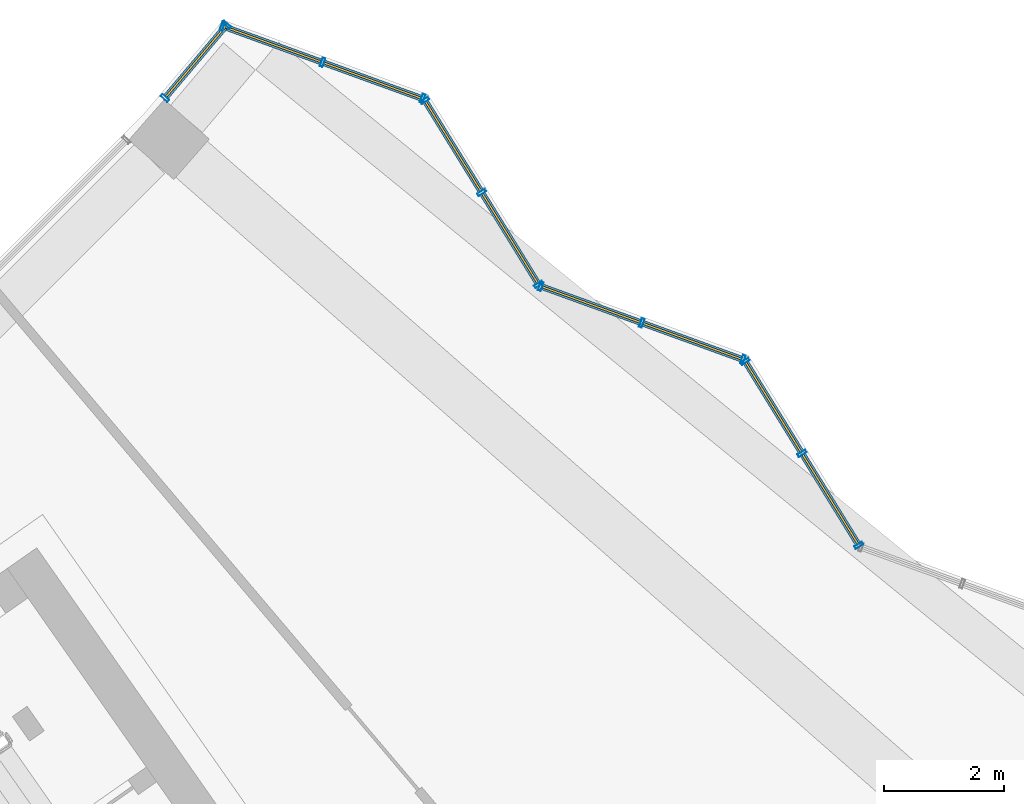
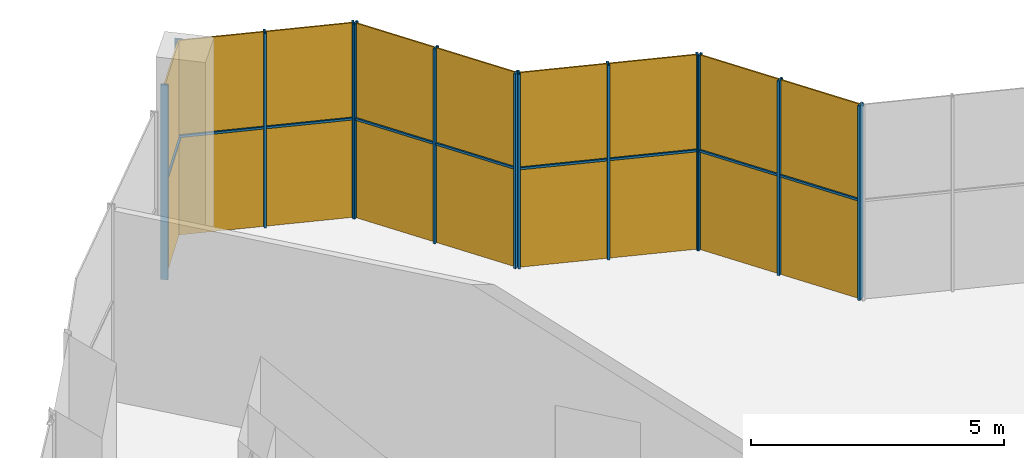
# One storey, part 38 of 41: 23 members, 5 curtain walls.
"""IFC4 building model written with IfcOpenShell, lengths in metres."""

from ifc_helpers import new_model, si_unit, direction, frame, origin, origin_2d, place, context, subcontext, project, spatial, rectangle, hollow_rectangle, extrude, material, material_profile, profile_set, type_object, element, aggregate, save


model = new_model("IFC4")

# Units and contexts
model_context = context("Model", 3, precision=1e-05, world=origin(), true_north=direction((0.0, 1.0)))
body_context = subcontext(model_context, "Body", "Model", "MODEL_VIEW")
ifc_project = project(units=[si_unit("LENGTHUNIT", "METRE"), si_unit("AREAUNIT", "SQUARE_METRE"), si_unit("VOLUMEUNIT", "CUBIC_METRE"), si_unit("PLANEANGLEUNIT", "RADIAN"), si_unit("MASSUNIT", "GRAM", prefix="KILO")], contexts=[model_context])

# Member
ifc_material = material(Name="Steel S355", Category="steel")
ifc_material_profile_1 = material_profile(ifc_material, hollow_rectangle(XDim=0.14990234375, YDim=0.050048828125, WallThickness=0.0048828125, at=origin_2d()))
ifc_profile_set_1 = profile_set([ifc_material_profile_1], Name="Steel S355")
member_type_1 = type_object("IfcMemberType", Name="Mullion RHS 150x50x5 steel S355", PredefinedType="MULLION", material=ifc_profile_set_1)
site_placement = place(None, origin())
building_placement = place(site_placement, origin())
storey_placement = place(building_placement, frame((0.0, 0.0, 284.699951171875)))
member_1_placement = place(storey_placement, frame((43.7265625, -37.713134765625, 0.0), z_axis=(0.0, 0.0, 1.0), x_axis=(-0.763709922042, 0.645559567332, 0.0)))
member_1 = element("IfcMember", 1, at=member_1_placement, type_object=member_type_1, Name="e-cw5-L69-in14/M00", PredefinedType="MULLION", context=body_context, shape_type="SweptSolid", body=[
    extrude(hollow_rectangle(XDim=0.14990234375, YDim=0.050048828125, WallThickness=0.0048828125, at=origin_2d()), origin(), (0.0, 0.0, 1.0), 4.699951171875),
])

member_2_placement = place(storey_placement, frame((44.7578125, -36.4931640625, 0.0), z_axis=(0.0, 0.0, 1.0), x_axis=(-0.763709922042, 0.645559567332, 0.0)))
member_2 = element("IfcMember", 2, at=member_2_placement, type_object=member_type_1, Name="e-cw5-L69-in14/M01", PredefinedType="MULLION", context=body_context, shape_type="SweptSolid", body=[
    extrude(hollow_rectangle(XDim=0.14990234375, YDim=0.050048828125, WallThickness=0.0048828125, at=origin_2d()), origin(), (0.0, 0.0, 1.0), 4.699951171875),
])

member_3_placement = place(storey_placement, frame((55.317138671875, -45.185791015625, 0.0), z_axis=(0.0, 0.0, 1.0), x_axis=(-0.850709858797, -0.525635554491, 0.0)))
member_3 = element("IfcMember", 3, at=member_3_placement, type_object=member_type_1, Name="e-cw5-L69-capE2/M00", PredefinedType="MULLION", context=body_context, shape_type="SweptSolid", body=[
    extrude(hollow_rectangle(XDim=0.14990234375, YDim=0.050048828125, WallThickness=0.0048828125, at=origin_2d()), origin(), (0.0, 0.0, 1.0), 4.699951171875),
])

member_4_placement = place(storey_placement, frame((54.36767578125, -43.649169921875, 0.0), z_axis=(0.0, 0.0, 1.0), x_axis=(-0.850709858797, -0.525635554491, 0.0)))
member_4 = element("IfcMember", 4, at=member_4_placement, type_object=member_type_1, Name="e-cw5-L69-capE2/M01", PredefinedType="MULLION", context=body_context, shape_type="SweptSolid", body=[
    extrude(hollow_rectangle(XDim=0.14990234375, YDim=0.050048828125, WallThickness=0.0048828125, at=origin_2d()), origin(), (0.0, 0.0, 1.0), 4.699951171875),
])

member_5_placement = place(storey_placement, frame((53.418212890625, -42.112548828125, 0.0), z_axis=(0.0, 0.0, 1.0), x_axis=(-0.850709858797, -0.525635554491, 0.0)))
member_5 = element("IfcMember", 5, at=member_5_placement, type_object=member_type_1, Name="e-cw5-L69-capE2/M02", PredefinedType="MULLION", context=body_context, shape_type="SweptSolid", body=[
    extrude(hollow_rectangle(XDim=0.14990234375, YDim=0.050048828125, WallThickness=0.0048828125, at=origin_2d()), origin(), (0.0, 0.0, 1.0), 4.699951171875),
])

member_6_placement = place(storey_placement, frame((53.381591796875, -42.082763671875, 0.0), z_axis=(0.0, 0.0, 1.0), x_axis=(-0.340912731263, -0.940094947153, 0.0)))
member_6 = element("IfcMember", 6, at=member_6_placement, type_object=member_type_1, Name="e-cw5-L69-capE3/M00", PredefinedType="MULLION", context=body_context, shape_type="SweptSolid", body=[
    extrude(hollow_rectangle(XDim=0.14990234375, YDim=0.050048828125, WallThickness=0.0048828125, at=origin_2d()), origin(), (0.0, 0.0, 1.0), 4.699951171875),
])

member_7_placement = place(storey_placement, frame((51.69287109375, -41.47021484375, 0.0), z_axis=(0.0, 0.0, 1.0), x_axis=(-0.340912731263, -0.940094947153, 0.0)))
member_7 = element("IfcMember", 7, at=member_7_placement, type_object=member_type_1, Name="e-cw5-L69-capE3/M01", PredefinedType="MULLION", context=body_context, shape_type="SweptSolid", body=[
    extrude(hollow_rectangle(XDim=0.14990234375, YDim=0.050048828125, WallThickness=0.0048828125, at=origin_2d()), origin(), (0.0, 0.0, 1.0), 4.699951171875),
])

member_8_placement = place(storey_placement, frame((50.004150390625, -40.85791015625, 0.0), z_axis=(0.0, 0.0, 1.0), x_axis=(-0.340912731263, -0.940094947153, 0.0)))
member_8 = element("IfcMember", 8, at=member_8_placement, type_object=member_type_1, Name="e-cw5-L69-capE3/M02", PredefinedType="MULLION", context=body_context, shape_type="SweptSolid", body=[
    extrude(hollow_rectangle(XDim=0.14990234375, YDim=0.050048828125, WallThickness=0.0048828125, at=origin_2d()), origin(), (0.0, 0.0, 1.0), 4.699951171875),
])

member_9_placement = place(storey_placement, frame((49.967529296875, -40.828125, 0.0), z_axis=(0.0, 0.0, 1.0), x_axis=(-0.850651644357, -0.525729759433, 0.0)))
member_9 = element("IfcMember", 9, at=member_9_placement, type_object=member_type_1, Name="e-cw5-L69-capE4/M00", PredefinedType="MULLION", context=body_context, shape_type="SweptSolid", body=[
    extrude(hollow_rectangle(XDim=0.14990234375, YDim=0.050048828125, WallThickness=0.0048828125, at=origin_2d()), origin(), (0.0, 0.0, 1.0), 4.699951171875),
])

member_10_placement = place(storey_placement, frame((49.017578125, -39.291015625, 0.0), z_axis=(0.0, 0.0, 1.0), x_axis=(-0.850651644357, -0.525729759433, 0.0)))
member_10 = element("IfcMember", 10, at=member_10_placement, type_object=member_type_1, Name="e-cw5-L69-capE4/M01", PredefinedType="MULLION", context=body_context, shape_type="SweptSolid", body=[
    extrude(hollow_rectangle(XDim=0.14990234375, YDim=0.050048828125, WallThickness=0.0048828125, at=origin_2d()), origin(), (0.0, 0.0, 1.0), 4.699951171875),
])

member_11_placement = place(storey_placement, frame((48.067626953125, -37.75390625, 0.0), z_axis=(0.0, 0.0, 1.0), x_axis=(-0.850651644357, -0.525729759433, 0.0)))
member_11 = element("IfcMember", 11, at=member_11_placement, type_object=member_type_1, Name="e-cw5-L69-capE4/M02", PredefinedType="MULLION", context=body_context, shape_type="SweptSolid", body=[
    extrude(hollow_rectangle(XDim=0.14990234375, YDim=0.050048828125, WallThickness=0.0048828125, at=origin_2d()), origin(), (0.0, 0.0, 1.0), 4.699951171875),
])

member_12_placement = place(storey_placement, frame((48.031005859375, -37.72412109375, 0.0), z_axis=(0.0, 0.0, 1.0), x_axis=(-0.340814678258, -0.940130498965, 0.0)))
member_12 = element("IfcMember", 12, at=member_12_placement, type_object=member_type_1, Name="e-cw5-L69-capE5/M00", PredefinedType="MULLION", context=body_context, shape_type="SweptSolid", body=[
    extrude(hollow_rectangle(XDim=0.14990234375, YDim=0.050048828125, WallThickness=0.0048828125, at=origin_2d()), origin(), (0.0, 0.0, 1.0), 4.699951171875),
])

member_13_placement = place(storey_placement, frame((46.35888671875, -37.1181640625, 0.0), z_axis=(0.0, 0.0, 1.0), x_axis=(-0.340814678258, -0.940130498965, 0.0)))
member_13 = element("IfcMember", 13, at=member_13_placement, type_object=member_type_1, Name="e-cw5-L69-capE5/M01", PredefinedType="MULLION", context=body_context, shape_type="SweptSolid", body=[
    extrude(hollow_rectangle(XDim=0.14990234375, YDim=0.050048828125, WallThickness=0.0048828125, at=origin_2d()), origin(), (0.0, 0.0, 1.0), 4.699951171875),
])

member_14_placement = place(storey_placement, frame((44.68701171875, -36.511962890625, 0.0), z_axis=(0.0, 0.0, 1.0), x_axis=(-0.340814678258, -0.940130498965, 0.0)))
member_14 = element("IfcMember", 14, at=member_14_placement, type_object=member_type_1, Name="e-cw5-L69-capE5/M02", PredefinedType="MULLION", context=body_context, shape_type="SweptSolid", body=[
    extrude(hollow_rectangle(XDim=0.14990234375, YDim=0.050048828125, WallThickness=0.0048828125, at=origin_2d()), origin(), (0.0, 0.0, 1.0), 4.699951171875),
])

ifc_material_profile_2 = material_profile(ifc_material, hollow_rectangle(XDim=0.10009765625, YDim=0.050048828125, WallThickness=0.00390625, at=origin_2d()))
ifc_profile_set_2 = profile_set([ifc_material_profile_2], Name="Steel S355")
member_type_2 = type_object("IfcMemberType", Name="Transom RHS 100x50x4 steel S355", PredefinedType="USERDEFINED", material=ifc_profile_set_2)
member_15_placement = place(storey_placement, frame((43.74267578125, -37.694091796875, 2.35009765625), z_axis=(0.645553198055, 0.76371530591, 0.0), x_axis=(-0.76371530591, 0.645553198055, 0.0)))
member_15 = element("IfcMember", 15, at=member_15_placement, type_object=member_type_2, Name="e-cw5-L69-in14/T00", ObjectType="TRANSOM", PredefinedType="USERDEFINED", context=body_context, shape_type="SweptSolid", body=[
    extrude(hollow_rectangle(XDim=0.10009765625, YDim=0.050048828125, WallThickness=0.00390625, at=origin_2d()), origin(), (0.0, 0.0, 1.0), 1.547607421875),
])

member_16_placement = place(storey_placement, frame((55.303955078125, -45.16455078125, 2.400146484375), z_axis=(-0.525593499807, 0.850735842057, 0.0), x_axis=(-0.850735842057, -0.525593499807, 0.0)))
member_16 = element("IfcMember", 16, at=member_16_placement, type_object=member_type_2, Name="e-cw5-L69-capE2/T00", ObjectType="TRANSOM", PredefinedType="USERDEFINED", context=body_context, shape_type="SweptSolid", body=[
    extrude(hollow_rectangle(XDim=0.10009765625, YDim=0.050048828125, WallThickness=0.00390625, at=origin_2d()), origin(), (0.0, 0.0, 1.0), 1.75634765625),
])

member_17_placement = place(storey_placement, frame((54.3544921875, -43.6279296875, 2.400146484375), z_axis=(-0.525593499807, 0.850735842057, 0.0), x_axis=(-0.850735842057, -0.525593499807, 0.0)))
member_17 = element("IfcMember", 17, at=member_17_placement, type_object=member_type_2, Name="e-cw5-L69-capE2/T01", ObjectType="TRANSOM", PredefinedType="USERDEFINED", context=body_context, shape_type="SweptSolid", body=[
    extrude(hollow_rectangle(XDim=0.10009765625, YDim=0.050048828125, WallThickness=0.00390625, at=origin_2d()), origin(), (0.0, 0.0, 1.0), 1.75634765625),
])

member_18_placement = place(storey_placement, frame((53.358154296875, -42.07421875, 2.400146484375), z_axis=(-0.940082867766, 0.340946039328, 0.0), x_axis=(-0.340946039328, -0.940082867766, 0.0)))
member_18 = element("IfcMember", 18, at=member_18_placement, type_object=member_type_2, Name="e-cw5-L69-capE3/T00", ObjectType="TRANSOM", PredefinedType="USERDEFINED", context=body_context, shape_type="SweptSolid", body=[
    extrude(hollow_rectangle(XDim=0.10009765625, YDim=0.050048828125, WallThickness=0.00390625, at=origin_2d()), origin(), (0.0, 0.0, 1.0), 1.74658203125),
])

member_19_placement = place(storey_placement, frame((51.66943359375, -41.461669921875, 2.400146484375), z_axis=(-0.940127666696, 0.340822490915, 0.0), x_axis=(-0.340822490915, -0.940127666696, 0.0)))
member_19 = element("IfcMember", 19, at=member_19_placement, type_object=member_type_2, Name="e-cw5-L69-capE3/T01", ObjectType="TRANSOM", PredefinedType="USERDEFINED", context=body_context, shape_type="SweptSolid", body=[
    extrude(hollow_rectangle(XDim=0.10009765625, YDim=0.050048828125, WallThickness=0.00390625, at=origin_2d()), origin(), (0.0, 0.0, 1.0), 1.746337890625),
])

member_20_placement = place(storey_placement, frame((49.954345703125, -40.806884765625, 2.400146484375), z_axis=(-0.525670370941, 0.850688345468, 0.0), x_axis=(-0.850688345468, -0.525670370941, 0.0)))
member_20 = element("IfcMember", 20, at=member_20_placement, type_object=member_type_2, Name="e-cw5-L69-capE4/T00", ObjectType="TRANSOM", PredefinedType="USERDEFINED", context=body_context, shape_type="SweptSolid", body=[
    extrude(hollow_rectangle(XDim=0.10009765625, YDim=0.050048828125, WallThickness=0.00390625, at=origin_2d()), origin(), (0.0, 0.0, 1.0), 1.757080078125),
])

member_21_placement = place(storey_placement, frame((49.00439453125, -39.269775390625, 2.400146484375), z_axis=(-0.525670370941, 0.850688345468, 0.0), x_axis=(-0.850688345468, -0.525670370941, 0.0)))
member_21 = element("IfcMember", 21, at=member_21_placement, type_object=member_type_2, Name="e-cw5-L69-capE4/T01", ObjectType="TRANSOM", PredefinedType="USERDEFINED", context=body_context, shape_type="SweptSolid", body=[
    extrude(hollow_rectangle(XDim=0.10009765625, YDim=0.050048828125, WallThickness=0.00390625, at=origin_2d()), origin(), (0.0, 0.0, 1.0), 1.757080078125),
])

member_22_placement = place(storey_placement, frame((48.00732421875, -37.715576171875, 2.400146484375), z_axis=(-0.94011060345, 0.340869554639, 0.0), x_axis=(-0.340869554639, -0.94011060345, 0.0)))
member_22 = element("IfcMember", 22, at=member_22_placement, type_object=member_type_2, Name="e-cw5-L69-capE5/T00", ObjectType="TRANSOM", PredefinedType="USERDEFINED", context=body_context, shape_type="SweptSolid", body=[
    extrude(hollow_rectangle(XDim=0.10009765625, YDim=0.050048828125, WallThickness=0.00390625, at=origin_2d()), origin(), (0.0, 0.0, 1.0), 1.728271484375),
])

member_23_placement = place(storey_placement, frame((46.33544921875, -37.109619140625, 2.400146484375), z_axis=(-0.940127013912, 0.340824291552, 0.0), x_axis=(-0.340824291552, -0.940127013912, 0.0)))
member_23 = element("IfcMember", 23, at=member_23_placement, type_object=member_type_2, Name="e-cw5-L69-capE5/T01", ObjectType="TRANSOM", PredefinedType="USERDEFINED", context=body_context, shape_type="SweptSolid", body=[
    extrude(hollow_rectangle(XDim=0.10009765625, YDim=0.050048828125, WallThickness=0.00390625, at=origin_2d()), origin(), (0.0, 0.0, 1.0), 1.728515625),
])

# Site, building, storey
site = spatial("IfcSite", under=ifc_project, at=site_placement, CompositionType="ELEMENT")
building = spatial("IfcBuilding", under=site, at=building_placement, Name="Qamariyya Broadcast Tower", CompositionType="ELEMENT")
storey = spatial("IfcBuildingStorey", under=building, at=storey_placement, Name="L69", CompositionType="ELEMENT", Elevation=284.699951171875)

# Curtain wall
curtain_wall_type = type_object("IfcCurtainWallType", Name="Observation gallery all-glass wall, steel mullions", PredefinedType="NOTDEFINED", material=ifc_material)
curtain_wall_1_placement = place(storey_placement, origin())
curtain_wall_1 = element("IfcCurtainWall", 24, at=curtain_wall_1_placement, inside=storey, type_object=curtain_wall_type, Name="e-cw5-L69-in14", PredefinedType="NOTDEFINED", context=body_context, shape_type="SweptSolid", body=[
    extrude(rectangle(XDim=1.547607421875, YDim=0.031982421875, at=origin_2d()), frame((44.2421875, -37.10302734375, 0.0), x_axis=(0.645503705042, 0.76375713861, 0.0)), (0.0, 0.0, 1.0), 2.324951171875),
    extrude(rectangle(XDim=1.547607421875, YDim=0.031982421875, at=origin_2d()), frame((44.2421875, -37.10302734375, 2.375), x_axis=(0.645503705042, 0.76375713861, 0.0)), (0.0, 0.0, 1.0), 2.324951171875),
])

aggregate(curtain_wall_1, [member_1, member_2, member_15])

curtain_wall_2_placement = place(storey_placement, origin())
curtain_wall_2 = element("IfcCurtainWall", 25, at=curtain_wall_2_placement, inside=storey, type_object=curtain_wall_type, Name="e-cw5-L69-capE2", PredefinedType="NOTDEFINED", context=body_context, shape_type="SweptSolid", body=[
    extrude(rectangle(XDim=1.75634765625, YDim=0.031982421875, at=origin_2d()), frame((54.842529296875, -44.41748046875, 0.0), x_axis=(-0.525636198898, 0.850709460631, 0.0)), (0.0, 0.0, 1.0), 2.375),
    extrude(rectangle(XDim=1.75634765625, YDim=0.031982421875, at=origin_2d()), frame((54.842529296875, -44.41748046875, 2.425048828125), x_axis=(-0.525636198898, 0.850709460631, 0.0)), (0.0, 0.0, 1.0), 2.27490234375),
    extrude(rectangle(XDim=1.75634765625, YDim=0.031982421875, at=origin_2d()), frame((53.892822265625, -42.880615234375, 0.0), x_axis=(-0.525636198898, 0.850709460631, 0.0)), (0.0, 0.0, 1.0), 2.375),
    extrude(rectangle(XDim=1.75634765625, YDim=0.031982421875, at=origin_2d()), frame((53.892822265625, -42.880615234375, 2.425048828125), x_axis=(-0.525636198898, 0.850709460631, 0.0)), (0.0, 0.0, 1.0), 2.27490234375),
])

aggregate(curtain_wall_2, [member_3, member_4, member_5, member_16, member_17])

curtain_wall_3_placement = place(storey_placement, origin())
curtain_wall_3 = element("IfcCurtainWall", 26, at=curtain_wall_3_placement, inside=storey, type_object=curtain_wall_type, Name="e-cw5-L69-capE3", PredefinedType="NOTDEFINED", context=body_context, shape_type="SweptSolid", body=[
    extrude(rectangle(XDim=1.746337890625, YDim=0.031982421875, at=origin_2d()), frame((52.537109375, -41.7763671875, 0.0), x_axis=(-0.940102237601, 0.340892626582, 0.0)), (0.0, 0.0, 1.0), 2.375),
    extrude(rectangle(XDim=1.746337890625, YDim=0.031982421875, at=origin_2d()), frame((52.537109375, -41.7763671875, 2.425048828125), x_axis=(-0.940102237601, 0.340892626582, 0.0)), (0.0, 0.0, 1.0), 2.27490234375),
    extrude(rectangle(XDim=1.746337890625, YDim=0.031982421875, at=origin_2d()), frame((50.8486328125, -41.1640625, 0.0), x_axis=(-0.940102237601, 0.340892626582, 0.0)), (0.0, 0.0, 1.0), 2.375),
    extrude(rectangle(XDim=1.746337890625, YDim=0.031982421875, at=origin_2d()), frame((50.8486328125, -41.1640625, 2.425048828125), x_axis=(-0.940102237601, 0.340892626582, 0.0)), (0.0, 0.0, 1.0), 2.27490234375),
])

aggregate(curtain_wall_3, [member_6, member_7, member_8, member_18, member_19])

curtain_wall_4_placement = place(storey_placement, origin())
curtain_wall_4 = element("IfcCurtainWall", 27, at=curtain_wall_4_placement, inside=storey, type_object=curtain_wall_type, Name="e-cw5-L69-capE4", PredefinedType="NOTDEFINED", context=body_context, shape_type="SweptSolid", body=[
    extrude(rectangle(XDim=1.757080078125, YDim=0.031982421875, at=origin_2d()), frame((49.49267578125, -40.0595703125, 0.0), x_axis=(-0.525739699447, 0.850645501032, 0.0)), (0.0, 0.0, 1.0), 2.375),
    extrude(rectangle(XDim=1.757080078125, YDim=0.031982421875, at=origin_2d()), frame((49.49267578125, -40.0595703125, 2.425048828125), x_axis=(-0.525739699447, 0.850645501032, 0.0)), (0.0, 0.0, 1.0), 2.27490234375),
    extrude(rectangle(XDim=1.757080078125, YDim=0.031982421875, at=origin_2d()), frame((48.54248046875, -38.5224609375, 0.0), x_axis=(-0.525739699447, 0.850645501032, 0.0)), (0.0, 0.0, 1.0), 2.375),
    extrude(rectangle(XDim=1.757080078125, YDim=0.031982421875, at=origin_2d()), frame((48.54248046875, -38.5224609375, 2.425048828125), x_axis=(-0.525739699447, 0.850645501032, 0.0)), (0.0, 0.0, 1.0), 2.27490234375),
])

aggregate(curtain_wall_4, [member_9, member_10, member_11, member_20, member_21])

curtain_wall_5_placement = place(storey_placement, origin())
curtain_wall_5 = element("IfcCurtainWall", 28, at=curtain_wall_5_placement, inside=storey, type_object=curtain_wall_type, Name="e-cw5-L69-capE5", PredefinedType="NOTDEFINED", context=body_context, shape_type="SweptSolid", body=[
    extrude(rectangle(XDim=1.728515625, YDim=0.031982421875, at=origin_2d()), frame((47.195068359375, -37.421142578125, 0.0), x_axis=(-0.940130914306, 0.340813532546, 0.0)), (0.0, 0.0, 1.0), 2.375),
    extrude(rectangle(XDim=1.728515625, YDim=0.031982421875, at=origin_2d()), frame((47.195068359375, -37.421142578125, 2.425048828125), x_axis=(-0.940130914306, 0.340813532546, 0.0)), (0.0, 0.0, 1.0), 2.27490234375),
    extrude(rectangle(XDim=1.728515625, YDim=0.031982421875, at=origin_2d()), frame((45.52294921875, -36.81494140625, 0.0), x_axis=(-0.940130914306, 0.340813532546, 0.0)), (0.0, 0.0, 1.0), 2.375),
    extrude(rectangle(XDim=1.728515625, YDim=0.031982421875, at=origin_2d()), frame((45.52294921875, -36.81494140625, 2.425048828125), x_axis=(-0.940130914306, 0.340813532546, 0.0)), (0.0, 0.0, 1.0), 2.27490234375),
])

aggregate(curtain_wall_5, [member_12, member_13, member_14, member_22, member_23])

save(model, "model.ifc")
